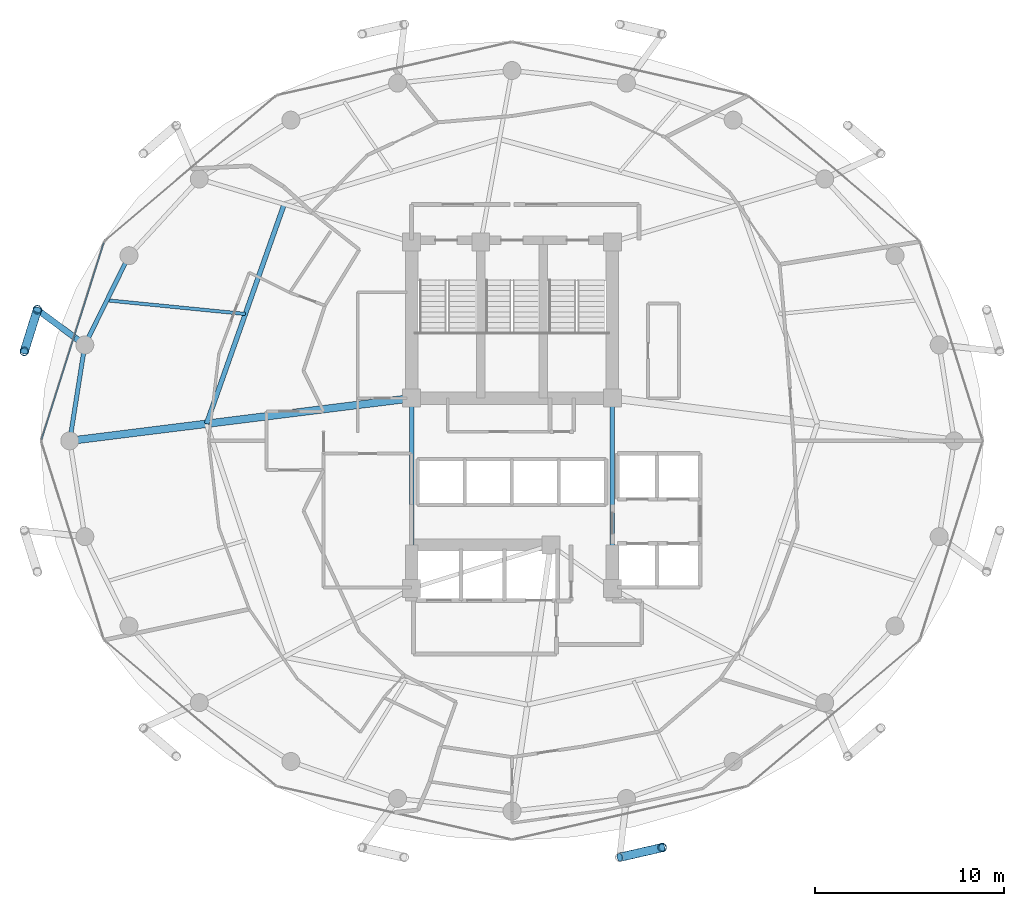
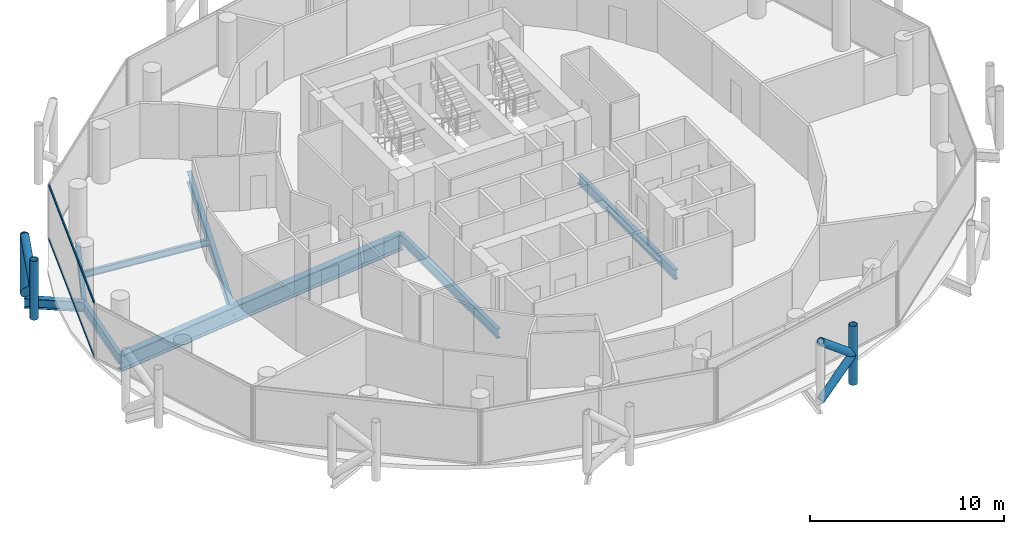
# One storey, part 7 of 26: 9 members, 8 beams, 1 element without a shape of its own.
"""IFC4 building model written with IfcOpenShell, lengths in metres."""

from ifc_helpers import new_model, si_unit, direction, frame, origin, origin_2d, place, context, subcontext, project, spatial, hollow_rectangle, hollow_circle, i_section, extrude, material, layer, layer_set, material_profile, profile_set, type_object, element, aggregate, save


model = new_model("IFC4")

# Units and contexts
model_context = context("Model", 3, precision=1e-05, world=origin(), true_north=direction((0.0, 1.0)))
body_context = subcontext(model_context, "Body", "Model", "MODEL_VIEW")
ifc_project = project(units=[si_unit("LENGTHUNIT", "METRE"), si_unit("AREAUNIT", "SQUARE_METRE"), si_unit("VOLUMEUNIT", "CUBIC_METRE"), si_unit("PLANEANGLEUNIT", "RADIAN"), si_unit("MASSUNIT", "GRAM", prefix="KILO")], contexts=[model_context])

# Site, building, storey
site_placement = place(None, origin())
site = spatial("IfcSite", under=ifc_project, at=site_placement, CompositionType="ELEMENT")
building_placement = place(site_placement, origin())
building = spatial("IfcBuilding", under=site, at=building_placement, Name="Nuhasar Tower", CompositionType="ELEMENT")
storey_placement = place(building_placement, frame((0.0, 0.0, 188.550048828125)))
storey = spatial("IfcBuildingStorey", under=building, at=storey_placement, Name="L46", CompositionType="ELEMENT", Elevation=188.550048828125)

# Beams
ifc_material_1 = material(Name="Steel S355", Category="steel")
ifc_material_profile_1 = material_profile(ifc_material_1, i_section(OverallWidth=0.25390625, OverallDepth=0.68408203125, WebThickness=0.012451171875, FlangeThickness=0.018798828125, at=origin_2d()), Name="W27X94")
ifc_profile_set_1 = profile_set([ifc_material_profile_1], Name="Steel S355")
beam_type_1 = type_object("IfcBeamType", Name="BM-INRING-W27X94", PredefinedType="BEAM", material=ifc_profile_set_1)
beam_1_placement = place(storey_placement, frame((26.972900390625, 39.2939453125, -0.592041015625), z_axis=(-0.333599821096, -0.942714781556, 0.0), x_axis=(0.942714781556, -0.333599821096, 0.0)))
element("IfcBeam", 1, at=beam_1_placement, inside=storey, type_object=beam_type_1, Name="L46 Inner Header Beam 07", PredefinedType="BEAM", context=body_context, shape_type="SweptSolid", body=[
    extrude(i_section(OverallWidth=0.25390625, OverallDepth=0.68408203125, WebThickness=0.012451171875, FlangeThickness=0.018798828125, at=origin_2d()), origin(), (0.0, 0.0, 1.0), 12.298583984375),
])
ifc_material_profile_2 = material_profile(ifc_material_1, i_section(OverallWidth=0.177978515625, OverallDepth=0.406005859375, WebThickness=0.0078125, FlangeThickness=0.0126953125, at=origin_2d()), Name="W16X40")
ifc_profile_set_2 = profile_set([ifc_material_profile_2], Name="Steel S355")
beam_type_2 = type_object("IfcBeamType", Name="BM-JST-W16X40", PredefinedType="JOIST", material=ifc_profile_set_2)
beam_2_placement = place(storey_placement, frame((24.922119140625, 33.4970703125, -0.453125), z_axis=(-0.995171845755, 0.098147834497, 0.0), x_axis=(-0.098147834497, -0.995171845755, 0.0)))
element("IfcBeam", 2, at=beam_2_placement, inside=storey, type_object=beam_type_2, Name="L46 Secondary Floor Joist 07", PredefinedType="JOIST", context=body_context, shape_type="SweptSolid", body=[
    extrude(i_section(OverallWidth=0.177978515625, OverallDepth=0.406005859375, WebThickness=0.0078125, FlangeThickness=0.0126953125, at=origin_2d()), origin(), (0.0, 0.0, 1.0), 7.345458984375),
])
ifc_material_profile_3 = material_profile(ifc_material_1, i_section(OverallWidth=0.22900390625, OverallDepth=0.612060546875, WebThickness=0.011962890625, FlangeThickness=0.01953125, at=origin_2d()), Name="W24X84")
ifc_profile_set_3 = profile_set([ifc_material_profile_3], Name="Steel S355")
beam_type_3 = type_object("IfcBeamType", Name="BM-RAD-W24X84", PredefinedType="BEAM", material=ifc_profile_set_3)
for number, where, z_axis, x_axis, name in (
    (3, (44.300048828125, 19.0, -0.55615234375), (0.0, 1.0, 0.0), (-1.0, 0.0, 0.0), "L46 Core Ring Girder 3"),
    (4, (33.699951171875, 29.050048828125, -0.55615234375), (0.0, -1.0, 0.0), (1.0, 0.0, 0.0), "L46 Core Ring Girder 8"),
):
    element("IfcBeam", number, at=place(storey_placement, frame(where, z_axis=z_axis, x_axis=x_axis)), inside=storey, type_object=beam_type_3, Name=name, PredefinedType="BEAM", context=body_context, shape_type="SweptSolid", body=[
        extrude(i_section(OverallWidth=0.22900390625, OverallDepth=0.612060546875, WebThickness=0.011962890625, FlangeThickness=0.01953125, at=origin_2d()), origin(), (0.0, 0.0, 1.0), 10.050048828125),
    ])
ifc_material_profile_4 = material_profile(ifc_material_1, i_section(OverallWidth=0.22998046875, OverallDepth=0.616943359375, WebThickness=0.01318359375, FlangeThickness=0.022216796875, at=origin_2d()), Name="W24X94")
ifc_profile_set_4 = profile_set([ifc_material_profile_4], Name="Steel S355")
beam_type_4 = type_object("IfcBeamType", Name="BM-RING-W24X94", PredefinedType="SPANDREL", material=ifc_profile_set_4)
beam_3_placement = place(storey_placement, frame((18.778076171875, 36.574951171875, -0.55810546875), z_axis=(-0.443347771709, -0.896349682501, 0.0), x_axis=(0.896349682501, -0.443347771709, 0.0)))
element("IfcBeam", 5, at=beam_3_placement, inside=storey, type_object=beam_type_4, Name="L46 Perimeter Ring Spandrel 11", PredefinedType="SPANDREL", context=body_context, shape_type="SweptSolid", body=[
    extrude(i_section(OverallWidth=0.22998046875, OverallDepth=0.616943359375, WebThickness=0.01318359375, FlangeThickness=0.022216796875, at=origin_2d()), origin(), (0.0, 0.0, 1.0), 5.260009765625),
])
beam_4_placement = place(storey_placement, frame((16.446044921875, 31.860107421875, -0.55810546875), z_axis=(-0.155426543608, -0.987847452566, 0.0), x_axis=(0.987847452566, -0.155426543608, 0.0)))
element("IfcBeam", 6, at=beam_4_placement, inside=storey, type_object=beam_type_4, Name="L46 Perimeter Ring Spandrel 12", PredefinedType="SPANDREL", context=body_context, shape_type="SweptSolid", body=[
    extrude(i_section(OverallWidth=0.22998046875, OverallDepth=0.616943359375, WebThickness=0.01318359375, FlangeThickness=0.022216796875, at=origin_2d()), origin(), (0.0, 0.0, 1.0), 5.122314453125),
])
ifc_material_profile_5 = material_profile(ifc_material_1, i_section(OverallWidth=0.323974609375, OverallDepth=0.611083984375, WebThickness=0.0126953125, FlangeThickness=0.01904296875, at=origin_2d()), Name="W24X104")
ifc_profile_set_5 = profile_set([ifc_material_profile_5], Name="Steel S355")
beam_type_5 = type_object("IfcBeamType", Name="BM-TIE-W24X104", PredefinedType="BEAM", material=ifc_profile_set_5)
beam_5_placement = place(storey_placement, frame((16.446044921875, 31.860107421875, -0.554931640625), z_axis=(-0.802872198291, 0.596151183183, 0.0), x_axis=(-0.596151183183, -0.802872198291, 0.0)))
element("IfcBeam", 7, at=beam_5_placement, inside=storey, type_object=beam_type_5, Name="L46 Exoskeleton Node Tie Beam 06", PredefinedType="BEAM", context=body_context, shape_type="SweptSolid", body=[
    extrude(i_section(OverallWidth=0.323974609375, OverallDepth=0.611083984375, WebThickness=0.0126953125, FlangeThickness=0.01904296875, at=origin_2d()), origin(), (0.0, 0.0, 1.0), 3.121337890625),
])
ifc_material_2 = material(Name="Steel S460", Category="steel")
ifc_material_profile_6 = material_profile(ifc_material_2, i_section(OverallWidth=0.40087890625, OverallDepth=1.010009765625, WebThickness=0.023681640625, FlangeThickness=0.0419921875, at=origin_2d()), Name="W40X297")
ifc_profile_set_6 = profile_set([ifc_material_profile_6], Name="Steel S460")
beam_type_6 = type_object("IfcBeamType", Name="BM-XFER-W40X297", PredefinedType="USERDEFINED", material=ifc_profile_set_6)
beam_6_placement = place(storey_placement, frame((33.699951171875, 29.050048828125, -0.755126953125), z_axis=(-0.992320149485, -0.123696082908, 0.0), x_axis=(0.123696082908, -0.992320149485, 0.0)))
element("IfcBeam", 8, at=beam_6_placement, inside=storey, type_object=beam_type_6, Name="L46 Radial Floor Girder 08", ObjectType="GIRDER", PredefinedType="USERDEFINED", context=body_context, shape_type="SweptSolid", body=[
    extrude(i_section(OverallWidth=0.40087890625, OverallDepth=1.010009765625, WebThickness=0.023681640625, FlangeThickness=0.0419921875, at=origin_2d()), origin(), (0.0, 0.0, 1.0), 18.189697265625),
])

# Curtain wall, members
ifc_material_3 = material(Name="Aluminium 6063-T6", Category="aluminium")
ifc_layer = layer(ifc_material_3, 0.199951171875)
ifc_layer_set = layer_set([ifc_layer], Name="Aluminium 6063-T6")
curtain_wall_type = type_object("IfcCurtainWallType", Name="CW-Z2-HTL", PredefinedType="NOTDEFINED", material=ifc_layer_set)
curtain_wall_placement = place(storey_placement, origin())
curtain_wall = element("IfcCurtainWall", 9, at=curtain_wall_placement, inside=storey, type_object=curtain_wall_type, Name="L46 Unitised Curtain Wall 06", PredefinedType="NOTDEFINED")
ifc_material_profile_7 = material_profile(ifc_material_3, hollow_rectangle(XDim=0.070068359375, YDim=0.159912109375, WallThickness=0.00439453125, at=origin_2d()), Name="CWT-3")
ifc_profile_set_7 = profile_set([ifc_material_profile_7], Name="Aluminium 6063-T6")
member_type_1 = type_object("IfcMemberType", Name="CW-TRN-S3", PredefinedType="USERDEFINED", material=ifc_profile_set_7)
member_1_placement = place(storey_placement, frame((17.449951171875, 37.26318359375, 0.034912109375), z_axis=(-0.301608163352, -0.953431967053, 0.0), x_axis=(0.953431967053, -0.301608163352, 0.0)))
member_1 = element("IfcMember", 10, at=member_1_placement, type_object=member_type_1, Name="CW-Z2 transom 1.1", ObjectType="TRANSOM", PredefinedType="USERDEFINED", context=body_context, shape_type="SweptSolid", body=[
    extrude(hollow_rectangle(XDim=0.070068359375, YDim=0.159912109375, WallThickness=0.00439453125, at=origin_2d()), origin(), (0.0, 0.0, 1.0), 10.904296875),
])
member_2_placement = place(storey_placement, frame((17.449951171875, 37.26318359375, 3.4150390625), z_axis=(-0.301608163352, -0.953431967053, 0.0), x_axis=(0.953431967053, -0.301608163352, 0.0)))
member_2 = element("IfcMember", 11, at=member_2_placement, type_object=member_type_1, Name="CW-Z2 transom 1.2", ObjectType="TRANSOM", PredefinedType="USERDEFINED", context=body_context, shape_type="SweptSolid", body=[
    extrude(hollow_rectangle(XDim=0.070068359375, YDim=0.159912109375, WallThickness=0.00439453125, at=origin_2d()), origin(), (0.0, 0.0, 1.0), 10.904296875),
])
aggregate(curtain_wall, [member_1, member_2])

# Members
ifc_material_profile_8 = material_profile(ifc_material_2, hollow_circle(Radius=0.228515625, WallThickness=0.022216796875, at=origin_2d()), Name="HSS457X22.2")
ifc_profile_set_8 = profile_set([ifc_material_profile_8], Name="Steel S460")
member_type_2 = type_object("IfcMemberType", Name="EXO-BRONZE-457", PredefinedType="BRACE", material=ifc_profile_set_8)
for number, where, z_axis, x_axis, name in (
    (12, (13.93994140625, 33.720947265625, 0.0), (0.0, 0.0, 1.0), (1.0, 0.0, 0.0), "L46 Exoskeleton Chord Column EC-06A"),
    (13, (13.251953125, 31.52587890625, 0.0), (0.0, 0.0, 1.0), (1.0, 0.0, 0.0), "L46 Exoskeleton Chord Column EC-06B"),
    (14, (46.927978515625, 5.323974609375, 0.0), (0.0, 0.0, 1.0), (1.0, 0.0, 0.0), "L46 Exoskeleton Chord Column EC-10B"),
):
    element("IfcMember", number, at=place(storey_placement, frame(where, z_axis=z_axis, x_axis=x_axis)), inside=storey, type_object=member_type_2, Name=name, PredefinedType="BRACE", context=body_context, shape_type="SweptSolid", body=[
        extrude(hollow_circle(Radius=0.228515625, WallThickness=0.022216796875, at=origin_2d()), origin(), (0.0, 0.0, 1.0), 3.699951171875),
    ])
member_3_placement = place(storey_placement, frame((13.93994140625, 33.720947265625, 0.0), z_axis=(-0.233067628236, -0.74361641074, 0.626669062861), x_axis=(0.954228474306, -0.29907861646, 0.0)))
element("IfcMember", 15, at=member_3_placement, inside=storey, type_object=member_type_2, Name="L46 Bronze Diagrid Brace W1-06", PredefinedType="BRACE", context=body_context, shape_type="SweptSolid", body=[
    extrude(hollow_circle(Radius=0.228515625, WallThickness=0.022216796875, at=origin_2d()), origin(), (0.0, 0.0, 1.0), 2.951904296875),
])
member_4_placement = place(storey_placement, frame((13.251953125, 31.52587890625, 1.849853515625), z_axis=(0.233055548538, 0.743577869731, 0.626719285599), x_axis=(-0.954228474306, 0.29907861646, 0.0)))
element("IfcMember", 16, at=member_4_placement, inside=storey, type_object=member_type_2, Name="L46 Bronze Diagrid Brace W2-06", PredefinedType="BRACE", context=body_context, shape_type="SweptSolid", body=[
    extrude(hollow_circle(Radius=0.228515625, WallThickness=0.022216796875, at=origin_2d()), origin(), (0.0, 0.0, 1.0), 2.9521484375),
])
member_5_placement = place(storey_placement, frame((44.68603515625, 4.81005859375, 0.0), z_axis=(0.759549860492, 0.174110035537, 0.626713415327), x_axis=(-0.223432882746, 0.974719316987, 0.0)))
element("IfcMember", 17, at=member_5_placement, inside=storey, type_object=member_type_2, Name="L46 Bronze Diagrid Brace W1-10", PredefinedType="BRACE", context=body_context, shape_type="SweptSolid", body=[
    extrude(hollow_circle(Radius=0.228515625, WallThickness=0.022216796875, at=origin_2d()), origin(), (0.0, 0.0, 1.0), 2.95166015625),
])
member_6_placement = place(storey_placement, frame((46.927978515625, 5.323974609375, 1.849853515625), z_axis=(-0.759510488094, -0.174101010284, 0.626763637022), x_axis=(0.223432882746, -0.974719316987, 0.0)))
element("IfcMember", 18, at=member_6_placement, inside=storey, type_object=member_type_2, Name="L46 Bronze Diagrid Brace W2-10", PredefinedType="BRACE", context=body_context, shape_type="SweptSolid", body=[
    extrude(hollow_circle(Radius=0.228515625, WallThickness=0.022216796875, at=origin_2d()), origin(), (0.0, 0.0, 1.0), 2.951904296875),
])

save(model, "model.ifc")
